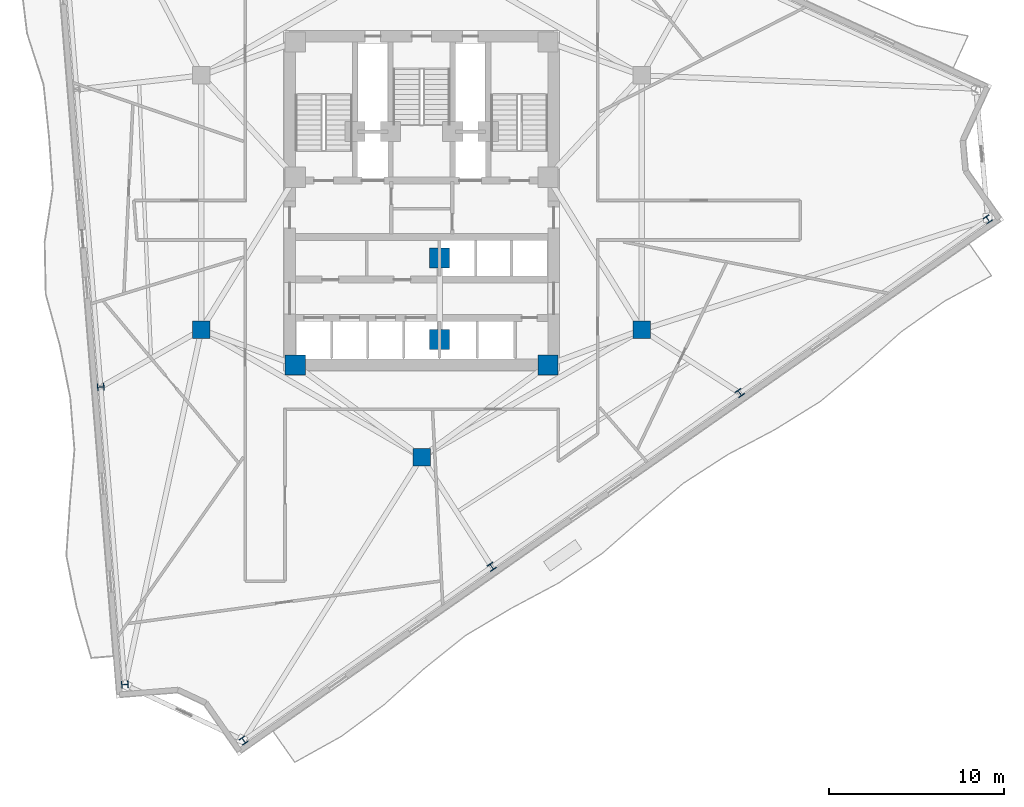
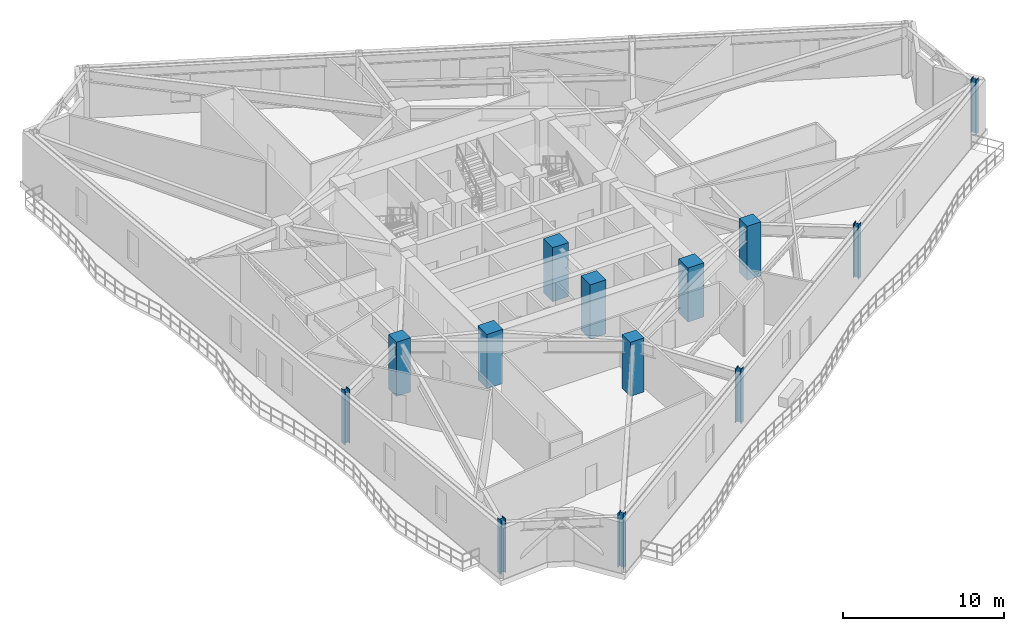
# One storey, part 1 of 14: 13 columns.
"""IFC4 building model written with IfcOpenShell, lengths in metres."""

from ifc_helpers import new_model, si_unit, direction, frame, origin, origin_2d, place, context, subcontext, project, spatial, rectangle, i_section, extrude, material, material_profile, profile_set, type_object, element, save


model = new_model("IFC4")

# Units and contexts
model_context = context("Model", 3, precision=1e-05, world=origin(), true_north=direction((0.0, 1.0)))
body_context = subcontext(model_context, "Body", "Model", "MODEL_VIEW")
ifc_project = project(units=[si_unit("LENGTHUNIT", "METRE"), si_unit("AREAUNIT", "SQUARE_METRE"), si_unit("VOLUMEUNIT", "CUBIC_METRE"), si_unit("PLANEANGLEUNIT", "RADIAN"), si_unit("MASSUNIT", "GRAM", prefix="KILO")], contexts=[model_context])

# Site, building, storey
site_placement = place(None, origin())
site = spatial("IfcSite", under=ifc_project, at=site_placement, CompositionType="ELEMENT")
building_placement = place(site_placement, origin())
building = spatial("IfcBuilding", under=site, at=building_placement, Name="Apsidion Concourse Tower", CompositionType="ELEMENT")
storey_placement = place(building_placement, frame((0.0, 0.0, 194.199951171875)))
storey = spatial("IfcBuildingStorey", under=building, at=storey_placement, Name="L45", CompositionType="ELEMENT", Elevation=194.199951171875)

# Columns
ifc_material_1 = material(Name="Concrete C50/60", Category="concrete")
ifc_material_profile_1 = material_profile(ifc_material_1, rectangle(XDim=1.0, YDim=1.0, at=origin_2d()), Name="RC 1000x1000")
ifc_profile_set_1 = profile_set([ifc_material_profile_1], Name="Concrete C50/60")
column_type_1 = type_object("IfcColumnType", Name="COL-RC-1000", PredefinedType="COLUMN", material=ifc_profile_set_1)
for number, where, z_axis, x_axis, name in (
    (1, (-12.56005859375, -7.25, 0.0), (0.0, 0.0, 1.0), (1.0, 0.0, 0.0), "L45 Interior Spine Column IC1"),
    (2, (12.56005859375, -7.25, 0.0), (0.0, 0.0, 1.0), (1.0, 0.0, 0.0), "L45 Interior Spine Column IC2"),
    (3, (0.0, -14.5, 0.0), (0.0, 0.0, 1.0), (1.0, 0.0, 0.0), "L45 Interior Spine Column IC6"),
):
    element("IfcColumn", number, at=place(storey_placement, frame(where, z_axis=z_axis, x_axis=x_axis)), inside=storey, type_object=column_type_1, Name=name, PredefinedType="COLUMN", context=body_context, shape_type="SweptSolid", body=[
        extrude(rectangle(XDim=1.0, YDim=1.0, at=origin_2d()), origin(), (0.0, 0.0, 1.0), 4.10009765625),
    ])
ifc_material_profile_2 = material_profile(ifc_material_1, rectangle(XDim=1.14990234375, YDim=1.14990234375, at=origin_2d()), Name="RC 1150x1150")
ifc_profile_set_2 = profile_set([ifc_material_profile_2], Name="Concrete C50/60")
column_type_2 = type_object("IfcColumnType", Name="COL-RC-1150", PredefinedType="COLUMN", material=ifc_profile_set_2)
for number, where, z_axis, x_axis, name in (
    (4, (-7.199951171875, -9.25, 0.0), (0.0, 0.0, 1.0), (1.0, 0.0, 0.0), "L45 Core Super-Column SC1"),
    (5, (7.199951171875, -9.25, 0.0), (0.0, 0.0, 1.0), (1.0, 0.0, 0.0), "L45 Core Super-Column SC2"),
    (6, (1.02490234375, -3.14990234375, 0.0), (0.0, 0.0, 1.0), (1.0, 0.0, 0.0), "L45 Core Super-Column CC5"),
    (7, (1.02490234375, -7.800048828125, 0.0), (0.0, 0.0, 1.0), (1.0, 0.0, 0.0), "L45 Core Super-Column CC6"),
):
    element("IfcColumn", number, at=place(storey_placement, frame(where, z_axis=z_axis, x_axis=x_axis)), inside=storey, type_object=column_type_2, Name=name, PredefinedType="COLUMN", context=body_context, shape_type="SweptSolid", body=[
        extrude(rectangle(XDim=1.14990234375, YDim=1.14990234375, at=origin_2d()), origin(), (0.0, 0.0, 1.0), 4.10009765625),
    ])
ifc_material_2 = material(Name="Structural steel ASTM A992 Grade 50", Category="steel")
ifc_material_profile_3 = material_profile(ifc_material_2, i_section(OverallWidth=0.39892578125, OverallDepth=0.385986328125, WebThickness=0.02099609375, FlangeThickness=0.033203125, at=origin_2d()), Name="W14X176")
ifc_profile_set_3 = profile_set([ifc_material_profile_3], Name="Structural steel ASTM A992 Grade 50")
column_type_3 = type_object("IfcColumnType", Name="COL-W14-176", PredefinedType="COLUMN", material=ifc_profile_set_3)
for number, where, z_axis, x_axis, name in (
    (8, (-18.28955078125, -10.510498046875, 0.0), (0.0, 0.0, 1.0), (-0.080720825512, 0.996736749763, 0.0), "L45 Rotated Perimeter Column PC03"),
    (9, (-16.915283203125, -27.47216796875, 0.0), (0.0, 0.0, 1.0), (-0.080720825512, 0.996736749763, 0.0), "L45 Rotated Perimeter Column PC04"),
    (10, (-10.14404296875, -30.65625, 0.0), (0.0, 0.0, 1.0), (0.819152044289, 0.573576436351, 0.0), "L45 Rotated Perimeter Column PC05"),
    (11, (3.996337890625, -20.755126953125, 0.0), (0.0, 0.0, 1.0), (0.819152044289, 0.573576436351, 0.0), "L45 Rotated Perimeter Column PC06"),
    (12, (18.13671875, -10.85400390625, 0.0), (0.0, 0.0, 1.0), (0.819152044289, 0.573576436351, 0.0), "L45 Rotated Perimeter Column PC07"),
    (13, (32.27685546875, -0.952880859375, 0.0), (0.0, 0.0, 1.0), (0.819152044289, 0.573576436351, 0.0), "L45 Rotated Perimeter Column PC08"),
):
    element("IfcColumn", number, at=place(storey_placement, frame(where, z_axis=z_axis, x_axis=x_axis)), inside=storey, type_object=column_type_3, Name=name, PredefinedType="COLUMN", context=body_context, shape_type="SweptSolid", body=[
        extrude(i_section(OverallWidth=0.39892578125, OverallDepth=0.385986328125, WebThickness=0.02099609375, FlangeThickness=0.033203125, at=origin_2d()), origin(), (0.0, 0.0, 1.0), 4.10009765625),
    ])

save(model, "model.ifc")
